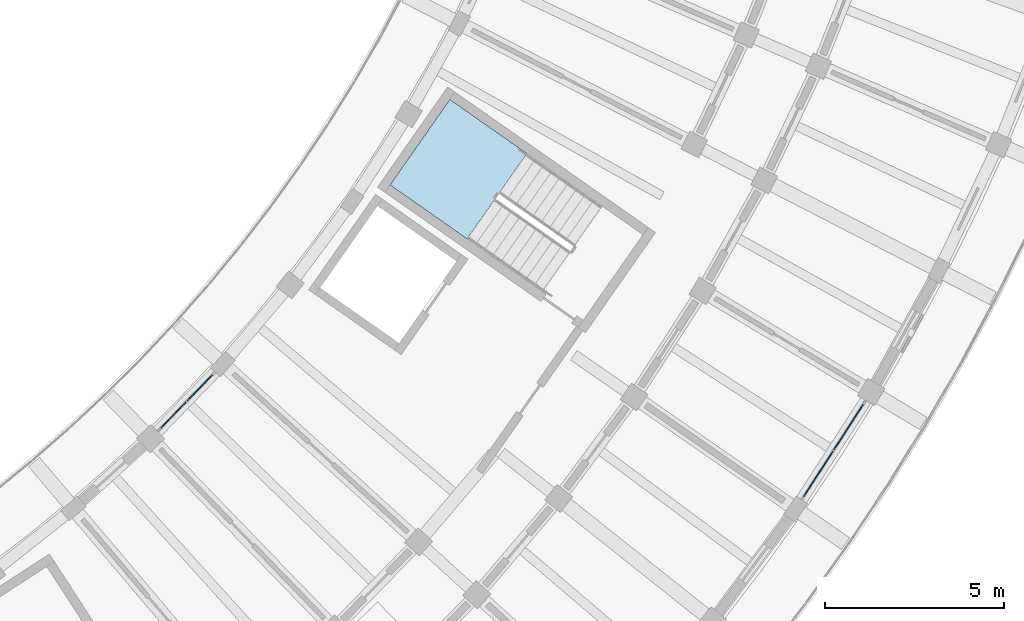
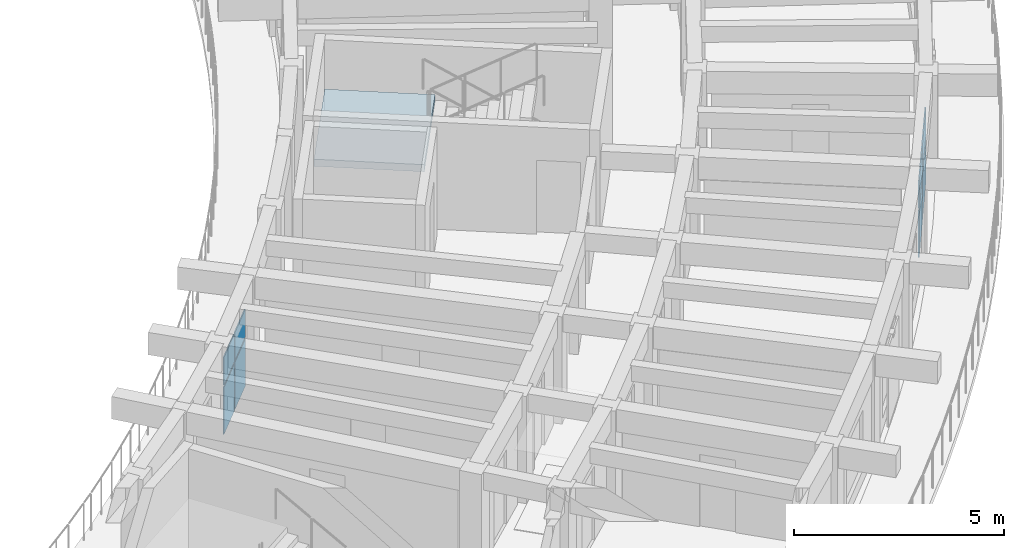
# One storey, part 34 of 78: 8 plates, 1 slab, 3 elements without a shape of their own.
"""IFC4 building model written with IfcOpenShell, lengths in metres."""

from ifc_helpers import new_model, si_unit, direction, frame, origin, origin_2d, place, context, subcontext, project, spatial, polyline, rectangle, outline, extrude, material, layer, layer_set, type_object, element, aggregate, save


model = new_model("IFC4")

# Units and contexts
model_context = context("Model", 3, precision=1e-05, world=origin(), true_north=direction((0.0, 1.0)))
body_context = subcontext(model_context, "Body", "Model", "MODEL_VIEW")
ifc_project = project(units=[si_unit("LENGTHUNIT", "METRE"), si_unit("AREAUNIT", "SQUARE_METRE"), si_unit("VOLUMEUNIT", "CUBIC_METRE"), si_unit("PLANEANGLEUNIT", "RADIAN"), si_unit("MASSUNIT", "GRAM", prefix="KILO")], contexts=[model_context])

# Site, building, storey
site_placement = place(None, origin())
site = spatial("IfcSite", under=ifc_project, at=site_placement, CompositionType="ELEMENT")
building_placement = place(site_placement, origin())
building = spatial("IfcBuilding", under=site, at=building_placement, Name="Tanwirah Colonnade Gardens", CompositionType="ELEMENT")
storey_placement = place(building_placement, frame((0.0, 0.0, 22.280029296875)))
storey = spatial("IfcBuildingStorey", under=building, at=storey_placement, Name="L06", CompositionType="ELEMENT", Elevation=22.280029296875)

# Curtain wall, plates
ifc_material_1 = material(Name="Bronze-anodised aluminium and solar-control low-E glass", Category="aluminium")
curtain_wall_type_1 = type_object("IfcCurtainWallType", Name="CW-GDN", PredefinedType="NOTDEFINED", material=ifc_material_1)
curtain_wall_1_placement = place(storey_placement, origin())
curtain_wall_1 = element("IfcCurtainWall", 1, at=curtain_wall_1_placement, inside=storey, type_object=curtain_wall_type_1, Name="Curtain Wall CW-D-L06-IN-08", PredefinedType="NOTDEFINED")
ifc_material_2 = material(Name="Solar-control low-E double glazing", Category="glass")
ifc_layer_1 = layer(ifc_material_2, 0.028076171875)
ifc_layer_set_1 = layer_set([ifc_layer_1], Name="Solar-control low-E double glazing")
plate_type = type_object("IfcPlateType", Name="CWP-GLZ28", PredefinedType="CURTAIN_PANEL", material=ifc_layer_set_1)
plate_1_placement = place(storey_placement, frame((152.51953125, 33.187255859375, 0.06005859375), z_axis=(0.0, 0.0, 1.0), x_axis=(0.696223466127, 0.717825107678, 0.0)))
plate_1 = element("IfcPlate", 2, at=plate_1_placement, type_object=plate_type, Name="CW-GDN panel 1.1", PredefinedType="CURTAIN_PANEL", context=body_context, shape_type="SweptSolid", body=[
    extrude(rectangle(XDim=1.00439453125, YDim=0.028076171875, at=origin_2d()), origin(), (0.0, 0.0, 1.0), 1.3701171875),
])
plate_2_placement = place(storey_placement, frame((152.51953125, 33.187255859375, 1.490234375), z_axis=(0.0, 0.0, 1.0), x_axis=(0.696223466127, 0.717825107678, 0.0)))
plate_2 = element("IfcPlate", 3, at=plate_2_placement, type_object=plate_type, Name="CW-GDN panel 1.2", PredefinedType="CURTAIN_PANEL", context=body_context, shape_type="SweptSolid", body=[
    extrude(rectangle(XDim=1.00439453125, YDim=0.028076171875, at=origin_2d()), origin(), (0.0, 0.0, 1.0), 0.804931640625),
])
plate_3_placement = place(storey_placement, frame((153.2607421875, 33.951416015625, 0.06005859375), z_axis=(0.0, 0.0, 1.0), x_axis=(0.696223466127, 0.717825107678, 0.0)))
plate_3 = element("IfcPlate", 4, at=plate_3_placement, type_object=plate_type, Name="CW-GDN panel 2.1", PredefinedType="CURTAIN_PANEL", context=body_context, shape_type="SweptSolid", body=[
    extrude(rectangle(XDim=1.00439453125, YDim=0.028076171875, at=origin_2d()), origin(), (0.0, 0.0, 1.0), 1.3701171875),
])
plate_4_placement = place(storey_placement, frame((153.2607421875, 33.951416015625, 1.490234375), z_axis=(0.0, 0.0, 1.0), x_axis=(0.696223466127, 0.717825107678, 0.0)))
plate_4 = element("IfcPlate", 5, at=plate_4_placement, type_object=plate_type, Name="CW-GDN panel 2.2", PredefinedType="CURTAIN_PANEL", context=body_context, shape_type="SweptSolid", body=[
    extrude(rectangle(XDim=1.00439453125, YDim=0.028076171875, at=origin_2d()), origin(), (0.0, 0.0, 1.0), 0.804931640625),
])
aggregate(curtain_wall_1, [plate_1, plate_2, plate_3, plate_4])

curtain_wall_type_2 = type_object("IfcCurtainWallType", Name="CW-LOB", PredefinedType="NOTDEFINED", material=ifc_material_1)
curtain_wall_2_placement = place(storey_placement, origin())
curtain_wall_2 = element("IfcCurtainWall", 6, at=curtain_wall_2_placement, inside=storey, type_object=curtain_wall_type_2, Name="Curtain Wall CW-D-L06-OUT-11", PredefinedType="NOTDEFINED")
plate_5_placement = place(storey_placement, frame((170.563720703125, 31.53857421875, 0.06005859375), z_axis=(0.0, 0.0, 1.0), x_axis=(0.542807180243, 0.839857348052, 0.0)))
plate_5 = element("IfcPlate", 7, at=plate_5_placement, type_object=plate_type, Name="CW-LOB panel 1.1", PredefinedType="CURTAIN_PANEL", context=body_context, shape_type="SweptSolid", body=[
    extrude(rectangle(XDim=1.49853515625, YDim=0.028076171875, at=origin_2d()), origin(), (0.0, 0.0, 1.0), 1.3701171875),
])
plate_6_placement = place(storey_placement, frame((170.563720703125, 31.53857421875, 1.490234375), z_axis=(0.0, 0.0, 1.0), x_axis=(0.542807180243, 0.839857348052, 0.0)))
plate_6 = element("IfcPlate", 8, at=plate_6_placement, type_object=plate_type, Name="CW-LOB panel 1.2", PredefinedType="CURTAIN_PANEL", context=body_context, shape_type="SweptSolid", body=[
    extrude(rectangle(XDim=1.49853515625, YDim=0.028076171875, at=origin_2d()), origin(), (0.0, 0.0, 1.0), 0.804931640625),
])
plate_7_placement = place(storey_placement, frame((171.40966796875, 32.847412109375, 0.06005859375), z_axis=(0.0, 0.0, 1.0), x_axis=(0.542807180243, 0.839857348052, 0.0)))
plate_7 = element("IfcPlate", 9, at=plate_7_placement, type_object=plate_type, Name="CW-LOB panel 2.1", PredefinedType="CURTAIN_PANEL", context=body_context, shape_type="SweptSolid", body=[
    extrude(rectangle(XDim=1.49853515625, YDim=0.028076171875, at=origin_2d()), origin(), (0.0, 0.0, 1.0), 1.3701171875),
])
plate_8_placement = place(storey_placement, frame((171.40966796875, 32.847412109375, 1.490234375), z_axis=(0.0, 0.0, 1.0), x_axis=(0.542807180243, 0.839857348052, 0.0)))
plate_8 = element("IfcPlate", 10, at=plate_8_placement, type_object=plate_type, Name="CW-LOB panel 2.2", PredefinedType="CURTAIN_PANEL", context=body_context, shape_type="SweptSolid", body=[
    extrude(rectangle(XDim=1.49853515625, YDim=0.028076171875, at=origin_2d()), origin(), (0.0, 0.0, 1.0), 0.804931640625),
])
aggregate(curtain_wall_2, [plate_5, plate_6, plate_7, plate_8])

# Stair, slab
ifc_material_3 = material(Name="Precast concrete C40/50", Category="concrete")
stair_type = type_object("IfcStairType", Name="ST-RES168", PredefinedType="HALF_TURN_STAIR", material=ifc_material_3)
stair_placement = place(storey_placement, origin())
stair = element("IfcStair", 11, at=stair_placement, inside=storey, type_object=stair_type, Name="L06 Block D Core 2 Exit Stair", PredefinedType="HALF_TURN_STAIR")
ifc_layer_2 = layer(ifc_material_3, 0.205078125)
ifc_layer_set_2 = layer_set([ifc_layer_2], Name="Precast concrete C40/50")
slab_type = type_object("IfcSlabType", Name="SL-LND-205", PredefinedType="LANDING", material=ifc_layer_set_2)
slab_placement = place(storey_placement, frame((0.0, 0.0, 1.474853515625)))
slab = element("IfcSlab", 12, at=slab_placement, type_object=slab_type, Name="ST-D2 landing 1", PredefinedType="LANDING", context=body_context, shape_type="SweptSolid", body=[
    extrude(outline(polyline([(162.412841796875, 40.507568359375), (160.25439453125, 42.018798828125), (158.57958984375, 39.626953125), (160.738037109375, 38.11572265625), (162.412841796875, 40.507568359375)])), origin(), (0.0, 0.0, 1.0), 0.205078125),
])
aggregate(stair, [slab])

save(model, "model.ifc")
